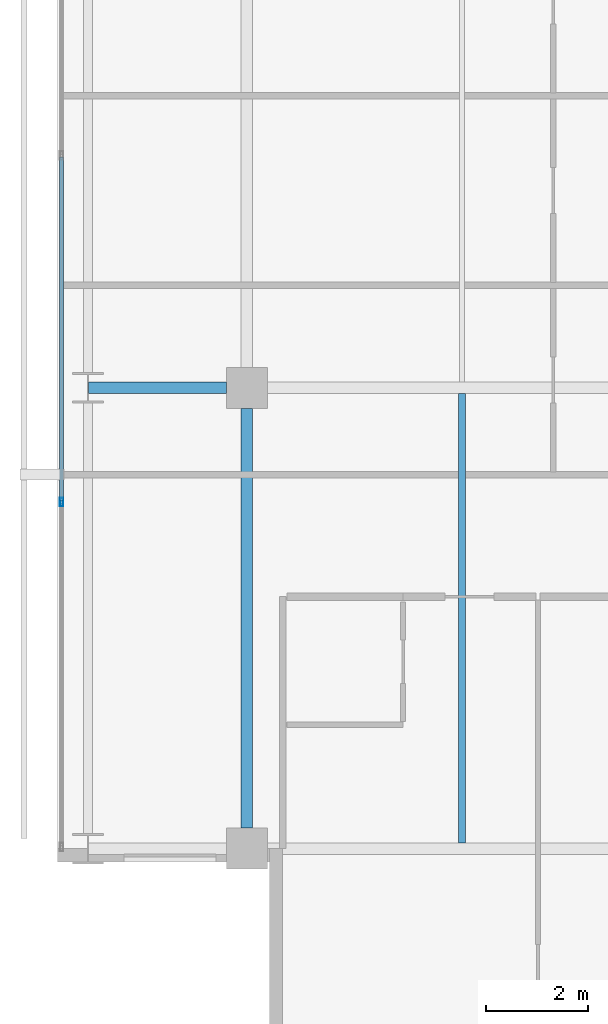
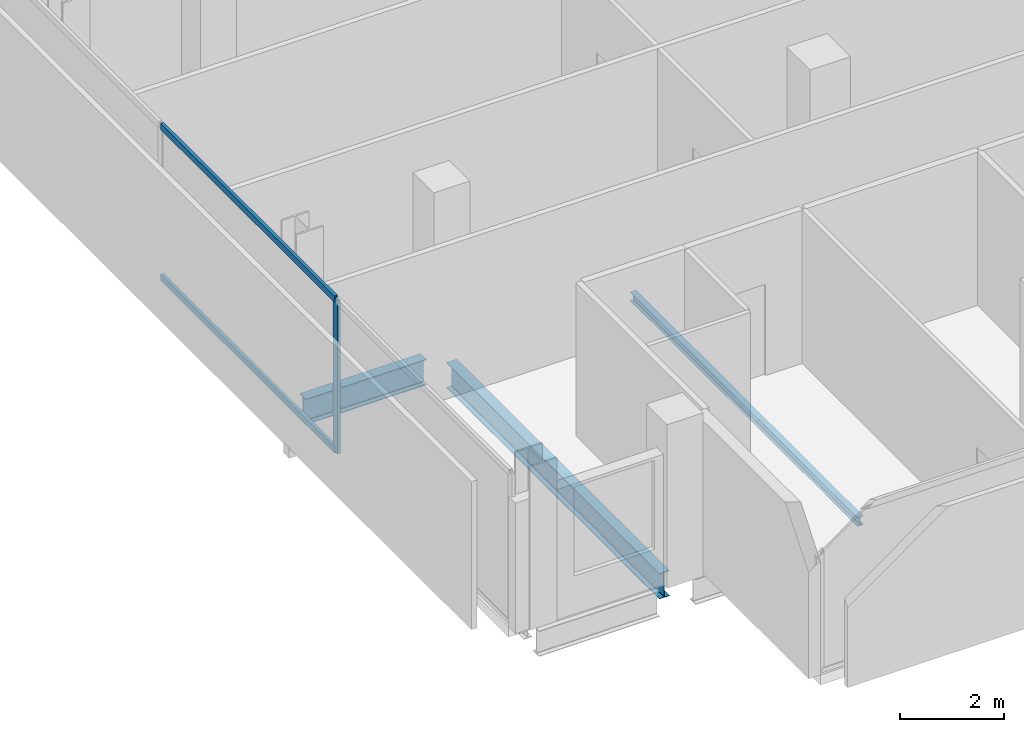
# One storey, part 4 of 34: 3 beams, 3 members, 1 element without a shape of its own.
"""IFC4 building model written with IfcOpenShell, lengths in metres."""

import ifcopenshell
import ifcopenshell.guid

model = None  # the IFC model being written
_history = None  # IfcOwnerHistory: only IFC2X3 demands one
_inside = {}  # id of a spatial element -> (the spatial element, [elements in it])
_under = {}  # id of a project, library or spatial element -> (it, [spatial elements below it])
_declared = {}  # id of a project -> (the project, [libraries it declares])
_typed = {}  # id of a type object -> (the type object, [elements of that type])
_made_of = {}  # id of a material, layer set ... -> (it, [elements and type objects made of it])


def new_model(schema):
    """Start an empty IFC model of exactly this schema.

    Asked for "IFC4X3", IfcOpenShell would pick the latest addendum, in which some entities
    have other attributes; the version numbers below select the first issue.
    IFC2X3 requires an IfcOwnerHistory on every rooted entity: one is made here for all.
    """
    global model, _history
    if schema == "IFC4X3":
        model = ifcopenshell.file(schema_version=(4, 3, 0, 0))
    else:
        model = ifcopenshell.file(schema=schema)
    _inside.clear()
    _under.clear()
    _declared.clear()
    _typed.clear()
    _made_of.clear()
    _history = None
    if model.schema == "IFC2X3":
        org = make("IfcOrganization", Name="unknown")
        user = make(
            "IfcPersonAndOrganization",
            ThePerson=make("IfcPerson", FamilyName="unknown"),
            TheOrganization=org,
        )
        app = make(
            "IfcApplication",
            ApplicationDeveloper=org,
            Version="unknown",
            ApplicationFullName="unknown",
            ApplicationIdentifier="unknown",
        )
        _history = make(
            "IfcOwnerHistory",
            OwningUser=user,
            OwningApplication=app,
            ChangeAction="ADDED",
            CreationDate=0,
        )
    return model


def make(cls, **values):
    """One entity of the class cls with the attributes given. An attribute that is None is left unset."""
    return model.create_entity(
        cls, **{name: value for name, value in values.items() if value is not None}
    )


def rooted(cls, **values):
    """An entity with a GlobalId (a new one), such as an element, a storey or a relation."""
    return make(cls, GlobalId=ifcopenshell.guid.new(), OwnerHistory=_history, **values)


def si_unit(unit_type, name, prefix=None):
    """IfcSIUnit, for example si_unit("LENGTHUNIT", "METRE", prefix="MILLI")."""
    return make("IfcSIUnit", UnitType=unit_type, Prefix=prefix, Name=name)


def assignment(units):
    """IfcUnitAssignment: the units of a project."""
    return None if units is None else make("IfcUnitAssignment", Units=units)


def point(xyz):
    """IfcCartesianPoint."""
    return None if xyz is None else make("IfcCartesianPoint", Coordinates=xyz)


def direction(xyz):
    """IfcDirection."""
    return None if xyz is None else make("IfcDirection", DirectionRatios=xyz)


def frame(location, z_axis=None, x_axis=None):
    """IfcAxis2Placement3D, a coordinate frame: its origin and axes. An axis left out is left unset."""
    return make(
        "IfcAxis2Placement3D",
        Location=point(location),
        Axis=direction(z_axis),
        RefDirection=direction(x_axis),
    )


def frame_2d(location, x_axis=None):
    """IfcAxis2Placement2D, a coordinate frame in the plane: its origin and x axis."""
    return make(
        "IfcAxis2Placement2D", Location=point(location), RefDirection=direction(x_axis)
    )


def origin():
    """The frame at (0, 0, 0) with its axes left unset."""
    return frame((0.0, 0.0, 0.0))


def origin_2d():
    """The frame at (0, 0) in the plane with its x axis left unset."""
    return frame_2d((0.0, 0.0))


def place(relative_to, where):
    """IfcLocalPlacement: puts the frame where relative to a parent placement (None: the world)."""
    return make(
        "IfcLocalPlacement", PlacementRelTo=relative_to, RelativePlacement=where
    )


def context(
    kind, dimensions, precision=None, world=None, true_north=None, identifier=None
):
    """IfcGeometricRepresentationContext, for example the 3D "Model" context."""
    return make(
        "IfcGeometricRepresentationContext",
        ContextIdentifier=identifier,
        ContextType=kind,
        CoordinateSpaceDimension=dimensions,
        Precision=precision,
        WorldCoordinateSystem=world,
        TrueNorth=true_north,
    )


def subcontext(parent, identifier, kind, view, scale=None):
    """IfcGeometricRepresentationSubContext, for example "Body" below "Model"."""
    return make(
        "IfcGeometricRepresentationSubContext",
        ContextIdentifier=identifier,
        ContextType=kind,
        ParentContext=parent,
        TargetScale=scale,
        TargetView=view,
    )


def project(units=None, contexts=None):
    """IfcProject with its units and contexts."""
    return rooted(
        "IfcProject",
        Name="project",
        RepresentationContexts=contexts,
        UnitsInContext=assignment(units),
    )


def spatial(cls, under=None, at=None, **own):
    """A site, building, storey or space (cls), placed at a placement, below another one or the project."""
    s = rooted(cls, ObjectPlacement=at, **own)
    if under is not None:
        _under.setdefault(under.id(), (under, []))[1].append(s)
    return s


def profile(cls, at=None, kind="AREA", **sizes):
    """A parametric profile (cls). Its sizes go by their IFC names, for example OverallWidth=200.0."""
    return make(cls, ProfileType=kind, Position=at, **sizes)


def hollow_rectangle(**sizes):
    """IfcRectangleHollowProfileDef."""
    return profile("IfcRectangleHollowProfileDef", **sizes)


def i_section(**sizes):
    """IfcIShapeProfileDef."""
    return profile("IfcIShapeProfileDef", **sizes)


def extrude(swept, where, along, depth):
    """IfcExtrudedAreaSolid: the profile swept, set in the frame where, extruded along a direction by depth."""
    return make(
        "IfcExtrudedAreaSolid",
        SweptArea=swept,
        Position=where,
        ExtrudedDirection=direction(along),
        Depth=depth,
    )


def shape(context_of_items, identifier, shape_type, items):
    """IfcShapeRepresentation: the items that make up one representation, for example the "Body"."""
    return make(
        "IfcShapeRepresentation",
        ContextOfItems=context_of_items,
        RepresentationIdentifier=identifier,
        RepresentationType=shape_type,
        Items=items,
    )


def material(Name=None, Category=None):
    """IfcMaterial."""
    return make("IfcMaterial", Name=Name, Category=Category)


def layer(
    of_material, thickness, ventilated=None, Name=None, Category=None, Priority=None
):
    """IfcMaterialLayer: one layer of a wall or slab, of a material (None: an air gap)."""
    return make(
        "IfcMaterialLayer",
        Material=of_material,
        LayerThickness=thickness,
        IsVentilated=ventilated,
        Name=Name,
        Category=Category,
        Priority=Priority,
    )


def layer_set(layers, Name=None):
    """IfcMaterialLayerSet."""
    return make("IfcMaterialLayerSet", MaterialLayers=layers, LayerSetName=Name)


def material_profile(
    of_material, cross_section, Name=None, Category=None, Priority=None
):
    """IfcMaterialProfile: a cross section and its material."""
    return make(
        "IfcMaterialProfile",
        Name=Name,
        Material=of_material,
        Profile=cross_section,
        Priority=Priority,
        Category=Category,
    )


def profile_set(profiles, Name=None, composite=None):
    """IfcMaterialProfileSet."""
    return make(
        "IfcMaterialProfileSet",
        Name=Name,
        MaterialProfiles=profiles,
        CompositeProfile=composite,
    )


def made_of(thing, what):
    """Note that an element or type object is made of a material, layer set ...; save() writes the relation."""
    if what is not None:
        _made_of.setdefault(what.id(), (what, []))[1].append(thing)
    return thing


def type_object(cls, material=None, **own):
    """A type object (cls), such as IfcWallType, which elements share."""
    return made_of(rooted(cls, **own), material)


def element(
    cls,
    number,
    at=None,
    inside=None,
    cuts=None,
    type_object=None,
    material=None,
    context=None,
    identifier="Body",
    shape_type=None,
    held_by="IfcProductDefinitionShape",
    body=None,
    shapes=None,
    **own,
):
    """One element of the class cls, such as IfcWall. Its Tag is "e" and its number.

    at: its placement. inside: the storey or other place that contains it. cuts: it is an
    opening in that element (IfcRelVoidsElement). A single representation is given by context,
    identifier, shape_type and body (its items); several are given by shapes. held_by: the class
    of the entity that holds the representations. save() writes the other relations.
    """
    e = rooted(cls, Tag="e%d" % number, ObjectPlacement=at, **own)
    if body is not None:
        shapes = [shape(context, identifier, shape_type, body)]
    if shapes is not None:
        e.Representation = make(held_by, Representations=shapes)
    if inside is not None:
        _inside.setdefault(inside.id(), (inside, []))[1].append(e)
    if cuts is not None:
        rooted(
            "IfcRelVoidsElement", RelatingBuildingElement=cuts, RelatedOpeningElement=e
        )
    if type_object is not None:
        _typed.setdefault(type_object.id(), (type_object, []))[1].append(e)
    return made_of(e, material)


def aggregate(whole, parts):
    """IfcRelAggregates: a whole, such as a stair, and the parts it consists of."""
    return rooted("IfcRelAggregates", RelatingObject=whole, RelatedObjects=parts)


def save(model, path):
    """Write the relations noted so far, then the file.

    IfcRelAggregates (storeys below a building ...), IfcRelContainedInSpatialStructure (elements
    in a storey), IfcRelDefinesByType, IfcRelAssociatesMaterial and IfcRelDeclares: one each for
    every whole, place, type object, material and project.
    """
    for whole, parts in _under.values():
        aggregate(whole, parts)
    for where, things in _inside.values():
        rooted(
            "IfcRelContainedInSpatialStructure",
            RelatedElements=things,
            RelatingStructure=where,
        )
    for kind, things in _typed.values():
        rooted("IfcRelDefinesByType", RelatedObjects=things, RelatingType=kind)
    for what, things in _made_of.values():
        rooted("IfcRelAssociatesMaterial", RelatedObjects=things, RelatingMaterial=what)
    for by, libraries in _declared.values():
        rooted("IfcRelDeclares", RelatingContext=by, RelatedDefinitions=libraries)
    model.write(path)


model = new_model("IFC4")

# Units and contexts
model_context = context("Model", 3, precision=1e-05, world=origin(), true_north=direction((0.0, 1.0)))
body_context = subcontext(model_context, "Body", "Model", "MODEL_VIEW")
ifc_project = project(units=[si_unit("LENGTHUNIT", "METRE"), si_unit("AREAUNIT", "SQUARE_METRE"), si_unit("VOLUMEUNIT", "CUBIC_METRE"), si_unit("PLANEANGLEUNIT", "RADIAN"), si_unit("MASSUNIT", "GRAM", prefix="KILO")], contexts=[model_context])

# Site, building, storey
site_placement = place(None, origin())
site = spatial("IfcSite", under=ifc_project, at=site_placement, CompositionType="ELEMENT")
building_placement = place(site_placement, origin())
building = spatial("IfcBuilding", under=site, at=building_placement, Name="Maruvema Waterfront Hotel and Observation Tower", CompositionType="ELEMENT")
storey_placement = place(building_placement, frame((0.0, 0.0, 192.85009765625)))
storey = spatial("IfcBuildingStorey", under=building, at=storey_placement, Name="L47", CompositionType="ELEMENT", Elevation=192.85009765625)

# Curtain wall, members
ifc_material_1 = material(Name="Anodised bronze aluminium and solar-control low-E IGU", Category="aluminium")
ifc_layer = layer(ifc_material_1, 0.159912109375, Name="Zone 2 Amber Inner Thermal Curtain Wall System CW-03")
ifc_layer_set = layer_set([ifc_layer], Name="Anodised bronze aluminium and solar-control low-E IGU")
curtain_wall_type = type_object("IfcCurtainWallType", Name="Zone 2 Amber Inner Thermal Curtain Wall System CW-03", PredefinedType="USERDEFINED", material=ifc_layer_set)
curtain_wall_placement = place(storey_placement, origin())
curtain_wall = element("IfcCurtainWall", 1, at=curtain_wall_placement, inside=storey, type_object=curtain_wall_type, Name="L47 Curtain Wall CW-L47-W", ObjectType="UNITISED CURTAIN WALL", PredefinedType="USERDEFINED")
ifc_material_2 = material(Name="Anodised architectural bronze aluminium", Category="aluminium")
ifc_material_profile_1 = material_profile(ifc_material_2, hollow_rectangle(XDim=0.070068359375, YDim=0.14990234375, WallThickness=0.00390625, at=origin_2d()), Name="ALU-T70x150")
ifc_profile_set_1 = profile_set([ifc_material_profile_1], Name="Anodised architectural bronze aluminium")
member_type_1 = type_object("IfcMemberType", Name="Curtain Wall Horizontal Transom ALU-T70x150", PredefinedType="USERDEFINED", material=ifc_profile_set_1)
member_1_placement = place(storey_placement, frame((13.179931640625, 22.50341796875, 0.02978515625), z_axis=(0.0, -1.0, 0.0), x_axis=(1.0, 0.0, 0.0)))
member_1 = element("IfcMember", 2, at=member_1_placement, type_object=member_type_1, Name="CW-03 transom 5.1", ObjectType="TRANSOM", PredefinedType="USERDEFINED", context=body_context, shape_type="SweptSolid", body=[
    extrude(hollow_rectangle(XDim=0.070068359375, YDim=0.14990234375, WallThickness=0.00390625, at=origin_2d()), origin(), (0.0, 0.0, 1.0), 6.706787109375),
])
member_2_placement = place(storey_placement, frame((13.179931640625, 22.50341796875, 3.579833984375), z_axis=(0.0, -1.0, 0.0), x_axis=(1.0, 0.0, 0.0)))
member_2 = element("IfcMember", 3, at=member_2_placement, type_object=member_type_1, Name="CW-03 transom 5.2", ObjectType="TRANSOM", PredefinedType="USERDEFINED", context=body_context, shape_type="SweptSolid", body=[
    extrude(hollow_rectangle(XDim=0.070068359375, YDim=0.14990234375, WallThickness=0.00390625, at=origin_2d()), origin(), (0.0, 0.0, 1.0), 6.706787109375),
])
ifc_material_3 = material(Name="Anodised architectural bronze aluminium", Category="aluminium")
ifc_material_profile_2 = material_profile(ifc_material_3, hollow_rectangle(XDim=0.06494140625, YDim=0.1650390625, WallThickness=0.00390625, at=origin_2d()), Name="ALU-M65x165")
ifc_profile_set_2 = profile_set([ifc_material_profile_2], Name="Anodised architectural bronze aluminium")
member_type_2 = type_object("IfcMemberType", Name="Curtain Wall Primary Mullion ALU-M65x165", PredefinedType="MULLION", material=ifc_profile_set_2)
member_3_placement = place(storey_placement, frame((13.179931640625, 15.7666015625, 0.0), z_axis=(0.0, 0.0, 1.0), x_axis=(1.0, 0.0, 0.0)))
member_3 = element("IfcMember", 4, at=member_3_placement, type_object=member_type_2, Name="CW-03 mullion 6", PredefinedType="MULLION", context=body_context, shape_type="SweptSolid", body=[
    extrude(hollow_rectangle(XDim=0.06494140625, YDim=0.1650390625, WallThickness=0.00390625, at=origin_2d()), origin(), (0.0, 0.0, 1.0), 3.60986328125),
])
aggregate(curtain_wall, [member_3, member_1, member_2])

# Beams
ifc_material_4 = material(Name="Steel ASTM A572 Grade 50", Category="steel")
ifc_material_profile_3 = material_profile(ifc_material_4, i_section(OverallWidth=0.22802734375, OverallDepth=0.60302734375, WebThickness=0.010498046875, FlangeThickness=0.014892578125, FilletRadius=0.01806640625, at=origin_2d()), Name="W610x101.0")
ifc_profile_set_3 = profile_set([ifc_material_profile_3], Name="Steel ASTM A572 Grade 50")
beam_type_1 = type_object("IfcBeamType", Name="Primary Floor Girder W610x101.0", PredefinedType="BEAM", material=ifc_profile_set_3)
beam_1_placement = place(storey_placement, frame((13.71240234375, 18.0, -0.54150390625), z_axis=(1.0, 0.0, 0.0), x_axis=(0.0, 1.0, 0.0)))
element("IfcBeam", 5, at=beam_1_placement, inside=storey, type_object=beam_type_1, Name="L47 Floor Girder EW-11", PredefinedType="BEAM", context=body_context, shape_type="SweptSolid", body=[
    extrude(i_section(OverallWidth=0.22802734375, OverallDepth=0.60302734375, WebThickness=0.010498046875, FlangeThickness=0.014892578125, FilletRadius=0.01806640625, at=origin_2d()), origin(), (0.0, 0.0, 1.0), 2.6875),
])
beam_2_placement = place(storey_placement, frame((16.800048828125, 9.39990234375, -0.54150390625), z_axis=(0.0, 1.0, 0.0), x_axis=(-1.0, 0.0, 0.0)))
element("IfcBeam", 6, at=beam_2_placement, inside=storey, type_object=beam_type_1, Name="L47 Floor Girder NS-05", PredefinedType="BEAM", context=body_context, shape_type="SweptSolid", body=[
    extrude(i_section(OverallWidth=0.22802734375, OverallDepth=0.60302734375, WebThickness=0.010498046875, FlangeThickness=0.014892578125, FilletRadius=0.01806640625, at=origin_2d()), origin(), (0.0, 0.0, 1.0), 8.2001953125),
])
ifc_material_5 = material(Name="Steel ASTM A572 Grade 50", Category="steel")
ifc_material_profile_4 = material_profile(ifc_material_5, i_section(OverallWidth=0.133056640625, OverallDepth=0.20703125, WebThickness=0.005859375, FlangeThickness=0.00830078125, FilletRadius=0.010009765625, at=origin_2d()), Name="W200x26.6")
ifc_profile_set_4 = profile_set([ifc_material_profile_4], Name="Steel ASTM A572 Grade 50")
beam_type_2 = type_object("IfcBeamType", Name="Secondary Floor Joist W200x26.6", PredefinedType="JOIST", material=ifc_profile_set_4)
beam_3_placement = place(storey_placement, frame((21.0, 9.114013671875, -0.343505859375), z_axis=(0.0, 1.0, 0.0), x_axis=(-1.0, 0.0, 0.0)))
element("IfcBeam", 7, at=beam_3_placement, inside=storey, type_object=beam_type_2, Name="L47 Secondary Floor Joist JS-01", PredefinedType="JOIST", context=body_context, shape_type="SweptSolid", body=[
    extrude(i_section(OverallWidth=0.133056640625, OverallDepth=0.20703125, WebThickness=0.005859375, FlangeThickness=0.00830078125, FilletRadius=0.010009765625, at=origin_2d()), origin(), (0.0, 0.0, 1.0), 8.77197265625),
])

save(model, "model.ifc")
